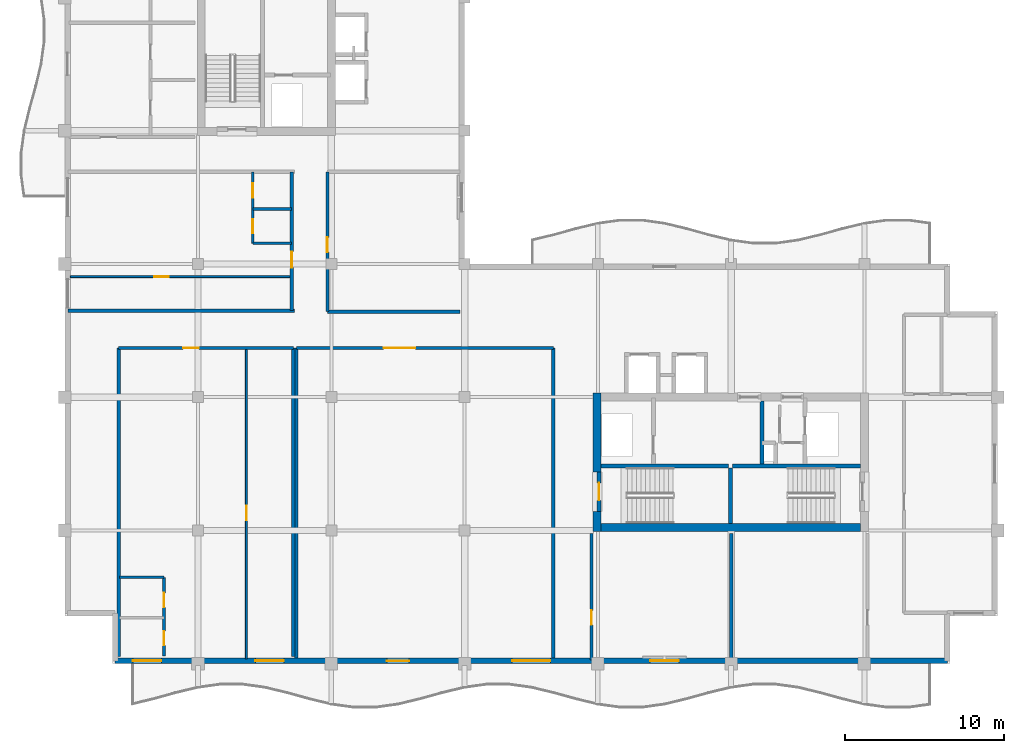
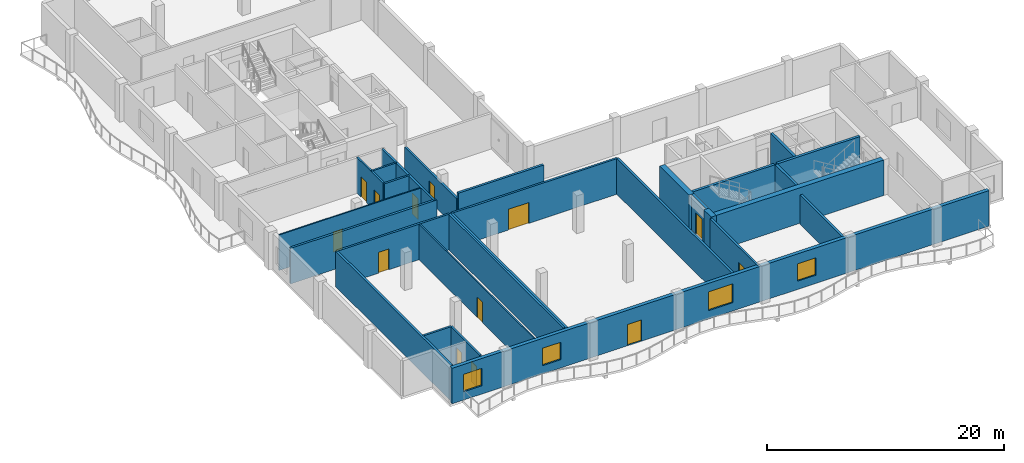
# One storey, part 3 of 11: 28 walls, 13 doors, 4 windows, 17 openings.
"""IFC4 building model written with IfcOpenShell, lengths in metres."""

from ifc_helpers import new_model, si_unit, direction, frame, frame_2d, origin, place, context, subcontext, project, spatial, rectangle, extrude, material, layer, layer_set, type_object, element, fill, save


model = new_model("IFC4")

# Units and contexts
model_context = context("Model", 3, precision=1e-05, world=origin(), true_north=direction((0.0, 1.0)))
body_context = subcontext(model_context, "Body", "Model", "MODEL_VIEW")
ifc_project = project(units=[si_unit("LENGTHUNIT", "METRE"), si_unit("AREAUNIT", "SQUARE_METRE"), si_unit("VOLUMEUNIT", "CUBIC_METRE"), si_unit("PLANEANGLEUNIT", "RADIAN"), si_unit("MASSUNIT", "GRAM", prefix="KILO")], contexts=[model_context])

# Site, building, storey
site_placement = place(None, origin())
site = spatial("IfcSite", under=ifc_project, at=site_placement, CompositionType="ELEMENT")
building_placement = place(site_placement, origin())
building = spatial("IfcBuilding", under=site, at=building_placement, Name="Koriwani Terraces Tower", CompositionType="ELEMENT")
storey_placement = place(building_placement, frame((0.0, 0.0, 343.699951171875)))
storey = spatial("IfcBuildingStorey", under=building, at=storey_placement, Name="L85", CompositionType="ELEMENT", Elevation=343.699951171875)

# Walls
ifc_material_1 = material(Name="Concrete C50/60", Category="concrete")
ifc_layer_1 = layer(ifc_material_1, 0.5, Name="Concrete C50/60")
ifc_layer_set_1 = layer_set([ifc_layer_1], Name="Concrete C50/60")
wall_type_1 = type_object("IfcWallType", Name="WALL_CORE_RC_500", PredefinedType="SHEAR", material=ifc_layer_set_1)
wall_1_placement = place(storey_placement, frame((41.949951171875, 16.75, 0.0), z_axis=(0.0, 0.0, 1.0), x_axis=(0.0, 1.0, 0.0)))
element("IfcWall", 1, at=wall_1_placement, inside=storey, type_object=wall_type_1, Name="L85 East Split Core Shear Wall W1", PredefinedType="SHEAR", context=body_context, shape_type="SweptSolid", body=[
    extrude(rectangle(XDim=1.25, YDim=0.5, at=frame_2d((0.625, 0.0))), origin(), (0.0, 0.0, 1.0), 3.670166015625),
])
wall_2_placement = place(storey_placement, frame((41.949951171875, 20.5, 0.0), z_axis=(0.0, 0.0, 1.0), x_axis=(0.0, 1.0, 0.0)))
element("IfcWall", 2, at=wall_2_placement, inside=storey, type_object=wall_type_1, Name="L85 East Split Core Shear Wall W2", PredefinedType="SHEAR", context=body_context, shape_type="SweptSolid", body=[
    extrude(rectangle(XDim=4.949951171875, YDim=0.5, at=frame_2d((2.47509765625, 0.0))), origin(), (0.0, 0.0, 1.0), 3.670166015625),
])
wall_3_placement = place(storey_placement, frame((42.199951171875, 17.0, 0.0), z_axis=(0.0, 0.0, 1.0), x_axis=(1.0, 0.0, 0.0)))
element("IfcWall", 3, at=wall_3_placement, inside=storey, type_object=wall_type_1, Name="L85 East Split Core Shear Wall S1", PredefinedType="SHEAR", context=body_context, shape_type="SweptSolid", body=[
    extrude(rectangle(XDim=16.35009765625, YDim=0.5, at=frame_2d((8.175048828125, 0.0))), origin(), (0.0, 0.0, 1.0), 3.670166015625),
])

# Wall, opening, door
ifc_material_2 = material(Name="Autoclaved Cellular Concrete Blockwork", Category="masonry")
ifc_layer_2 = layer(ifc_material_2, 0.199951171875, Name="Autoclaved Cellular Concrete Blockwork")
ifc_layer_set_2 = layer_set([ifc_layer_2], Name="Autoclaved Cellular Concrete Blockwork")
wall_type_2 = type_object("IfcWallType", Name="WALL_CORRIDOR_200", PredefinedType="PARTITIONING", material=ifc_layer_set_2)
wall_4_placement = place(storey_placement, frame((24.949951171875, 30.60009765625, 0.0), z_axis=(0.0, 0.0, 1.0), x_axis=(0.0, 1.0, 0.0)))
wall_4 = element("IfcWall", 4, at=wall_4_placement, inside=storey, type_object=wall_type_2, Name="L85 Interior Wall WIC4W-L85", PredefinedType="PARTITIONING", context=body_context, shape_type="SweptSolid", body=[
    extrude(rectangle(XDim=8.7998046875, YDim=0.199951171875, at=frame_2d((4.39990234375, 0.0))), origin(), (0.0, 0.0, 1.0), 3.070068359375),
])
opening_1_placement = place(wall_4_placement, frame((3.75, 0.0, 0.0)))
opening_1 = element("IfcOpeningElement", 5, at=opening_1_placement, cuts=wall_4, Name="Opening D-06", PredefinedType="OPENING", context=body_context, shape_type="SweptSolid", body=[
    extrude(rectangle(XDim=0.919921875, YDim=2.10009765625, at=frame_2d((0.4599609375, 1.050048828125))), frame((0.0, 0.10986328125, 0.0), z_axis=(0.0, -1.0, 0.0), x_axis=(1.0, 0.0, 0.0)), (0.0, 0.0, 1.0), 0.219970703125),
])
ifc_material_3 = material(Name="Architectural Oak Fire Door", Category="wood")
door_type_1 = type_object("IfcDoorType", Name="DOOR_ROOM_INT_920X2100", OperationType="NOTDEFINED", PredefinedType="DOOR", material=ifc_material_3)
door_1_placement = place(opening_1_placement, origin())
door_1 = element("IfcDoor", 6, at=door_1_placement, inside=storey, type_object=door_type_1, Name="L85 High-Rise Court Study Door", OperationType="SINGLE_SWING_LEFT", OverallHeight=2.10009765625, OverallWidth=0.919921875, PredefinedType="DOOR", context=body_context, shape_type="SweptSolid", body=[
    extrude(rectangle(XDim=0.919921875, YDim=2.10009765625, at=frame_2d((0.4599609375, 1.050048828125))), frame((0.0, 0.02490234375, 0.0), z_axis=(0.0, -1.0, 0.0), x_axis=(1.0, 0.0, 0.0)), (0.0, 0.0, 1.0), 0.050048828125),
])
fill(opening_1, door_1)

wall_5_placement = place(storey_placement, frame((41.60009765625, 8.64990234375, 0.0), z_axis=(0.0, 0.0, 1.0), x_axis=(0.0, 1.0, 0.0)))
wall_5 = element("IfcWall", 7, at=wall_5_placement, inside=storey, type_object=wall_type_2, Name="L85 Interior Wall WRZ4-EW-L85", PredefinedType="PARTITIONING", context=body_context, shape_type="SweptSolid", body=[
    extrude(rectangle(XDim=7.9501953125, YDim=0.199951171875, at=frame_2d((3.97509765625, 0.0))), origin(), (0.0, 0.0, 1.0), 3.670166015625),
])
opening_2_placement = place(wall_5_placement, frame((2.199951171875, 0.0, 0.0)))
opening_2 = element("IfcOpeningElement", 8, at=opening_2_placement, cuts=wall_5, Name="Opening D-06", PredefinedType="OPENING", context=body_context, shape_type="SweptSolid", body=[
    extrude(rectangle(XDim=0.919921875, YDim=2.10009765625, at=frame_2d((0.4599609375, 1.050048828125))), frame((0.0, 0.10986328125, 0.0), z_axis=(0.0, -1.0, 0.0), x_axis=(1.0, 0.0, 0.0)), (0.0, 0.0, 1.0), 0.219970703125),
])
door_2_placement = place(opening_2_placement, origin())
door_2 = element("IfcDoor", 9, at=door_2_placement, inside=storey, type_object=door_type_1, Name="L85 Resident Library Study Door", OperationType="SINGLE_SWING_RIGHT", OverallHeight=2.10009765625, OverallWidth=0.919921875, PredefinedType="DOOR", context=body_context, shape_type="SweptSolid", body=[
    extrude(rectangle(XDim=0.919921875, YDim=2.10009765625, at=frame_2d((0.4599609375, 1.050048828125))), frame((0.0, 0.02490234375, 0.0), z_axis=(0.0, -1.0, 0.0), x_axis=(1.0, 0.0, 0.0)), (0.0, 0.0, 1.0), 0.050048828125),
])
fill(opening_2, door_2)

wall_6_placement = place(storey_placement, frame((11.800048828125, 28.300048828125, 0.0), z_axis=(0.0, 0.0, 1.0), x_axis=(1.0, 0.0, 0.0)))
wall_6 = element("IfcWall", 10, at=wall_6_placement, inside=storey, type_object=wall_type_2, Name="L85 Interior Wall WGB-L85-SPINE-N", PredefinedType="PARTITIONING", context=body_context, shape_type="SweptSolid", body=[
    extrude(rectangle(XDim=11.0, YDim=0.199951171875, at=frame_2d((5.5, 0.0))), origin(), (0.0, 0.0, 1.0), 3.670166015625),
])
opening_3_placement = place(wall_6_placement, frame((4.050048828125, 0.0, 0.0)))
opening_3 = element("IfcOpeningElement", 11, at=opening_3_placement, cuts=wall_6, Name="Opening D-05", PredefinedType="OPENING", context=body_context, shape_type="SweptSolid", body=[
    extrude(rectangle(XDim=1.0, YDim=2.14990234375, at=frame_2d((0.5, 1.074951171875))), frame((0.0, 0.10986328125, 0.0), z_axis=(0.0, -1.0, 0.0), x_axis=(1.0, 0.0, 0.0)), (0.0, 0.0, 1.0), 0.219970703125),
])
door_type_2 = type_object("IfcDoorType", Name="DOOR_SUITE_ENTRY_1000X2150", OperationType="NOTDEFINED", PredefinedType="DOOR", material=ifc_material_3)
door_3_placement = place(opening_3_placement, origin())
door_3 = element("IfcDoor", 12, at=door_3_placement, inside=storey, type_object=door_type_2, Name="Corner Residence 85SP Entrance Door", OperationType="SINGLE_SWING_RIGHT", OverallHeight=2.14990234375, OverallWidth=1.0, PredefinedType="DOOR", context=body_context, shape_type="SweptSolid", body=[
    extrude(rectangle(XDim=1.0, YDim=2.14990234375, at=frame_2d((0.5, 1.074951171875))), frame((0.0, 0.02490234375, 0.0), z_axis=(0.0, -1.0, 0.0), x_axis=(1.0, 0.0, 0.0)), (0.0, 0.0, 1.0), 0.050048828125),
])
fill(opening_3, door_3)

wall_7_placement = place(storey_placement, frame((23.0, 28.300048828125, 0.0), z_axis=(0.0, 0.0, 1.0), x_axis=(1.0, 0.0, 0.0)))
wall_7 = element("IfcWall", 13, at=wall_7_placement, inside=storey, type_object=wall_type_2, Name="L85 Interior Wall WSPCLB-N-L85", PredefinedType="PARTITIONING", context=body_context, shape_type="SweptSolid", body=[
    extrude(rectangle(XDim=16.199951171875, YDim=0.199951171875, at=frame_2d((8.10009765625, 0.0))), origin(), (0.0, 0.0, 1.0), 3.670166015625),
])
opening_4_placement = place(wall_7_placement, frame((5.5, 0.0, 0.0)))
opening_4 = element("IfcOpeningElement", 14, at=opening_4_placement, cuts=wall_7, Name="Opening D-02", PredefinedType="OPENING", context=body_context, shape_type="SweptSolid", body=[
    extrude(rectangle(XDim=2.0, YDim=2.14990234375, at=frame_2d((1.0, 1.074951171875))), frame((0.0, 0.10986328125, 0.0), z_axis=(0.0, -1.0, 0.0), x_axis=(1.0, 0.0, 0.0)), (0.0, 0.0, 1.0), 0.219970703125),
])
ifc_material_4 = material(Name="Anodised Bronze Aluminium", Category="aluminium")
door_type_3 = type_object("IfcDoorType", Name="DOOR_ENTRANCE_DOUBLE_2000X2400", OperationType="NOTDEFINED", PredefinedType="DOOR", material=ifc_material_4)
door_4_placement = place(opening_4_placement, origin())
door_4 = element("IfcDoor", 15, at=door_4_placement, inside=storey, type_object=door_type_3, Name="L85 Sky Screening Salon Door", OperationType="SINGLE_SWING_RIGHT", OverallHeight=2.14990234375, OverallWidth=2.0, PredefinedType="DOOR", context=body_context, shape_type="SweptSolid", body=[
    extrude(rectangle(XDim=2.0, YDim=2.14990234375, at=frame_2d((1.0, 1.074951171875))), frame((0.0, 0.02490234375, 0.0), z_axis=(0.0, -1.0, 0.0), x_axis=(1.0, 0.0, 0.0)), (0.0, 0.0, 1.0), 0.050048828125),
])
fill(opening_4, door_4)

wall_8_placement = place(storey_placement, frame((22.699951171875, 30.64990234375, 0.0), z_axis=(0.0, 0.0, 1.0), x_axis=(0.0, 1.0, 0.0)))
wall_8 = element("IfcWall", 16, at=wall_8_placement, inside=storey, type_object=wall_type_2, Name="L85 Interior Wall WRCOR-L85-NE-0", PredefinedType="PARTITIONING", context=body_context, shape_type="SweptSolid", body=[
    extrude(rectangle(XDim=8.75, YDim=0.199951171875, at=frame_2d((4.375, 0.0))), origin(), (0.0, 0.0, 1.0), 3.670166015625),
])
opening_5_placement = place(wall_8_placement, frame((2.719970703125, 0.0, 0.0)))
opening_5 = element("IfcOpeningElement", 17, at=opening_5_placement, cuts=wall_8, Name="Opening D-05", PredefinedType="OPENING", context=body_context, shape_type="SweptSolid", body=[
    extrude(rectangle(XDim=1.0, YDim=2.14990234375, at=frame_2d((0.5, 1.074951171875))), frame((0.0, 0.10986328125, 0.0), z_axis=(0.0, -1.0, 0.0), x_axis=(1.0, 0.0, 0.0)), (0.0, 0.0, 1.0), 0.219970703125),
])
door_5_placement = place(opening_5_placement, origin())
door_5 = element("IfcDoor", 18, at=door_5_placement, inside=storey, type_object=door_type_2, Name="Apartment 85NE1 Entrance Door", OperationType="SINGLE_SWING_LEFT", OverallHeight=2.14990234375, OverallWidth=1.0, PredefinedType="DOOR", context=body_context, shape_type="SweptSolid", body=[
    extrude(rectangle(XDim=1.0, YDim=2.14990234375, at=frame_2d((0.5, 1.074951171875))), frame((0.0, 0.02490234375, 0.0), z_axis=(0.0, -1.0, 0.0), x_axis=(1.0, 0.0, 0.0)), (0.0, 0.0, 1.0), 0.050048828125),
])
fill(opening_5, door_5)

# Walls
ifc_layer_3 = layer(ifc_material_2, 0.219970703125, Name="Autoclaved Cellular Concrete Blockwork")
ifc_layer_set_3 = layer_set([ifc_layer_3], Name="Autoclaved Cellular Concrete Blockwork")
wall_type_3 = type_object("IfcWallType", Name="WALL_DEMISING_220", PredefinedType="PARTITIONING", material=ifc_layer_set_3)
wall_9_placement = place(storey_placement, frame((24.949951171875, 30.60009765625, 0.0), z_axis=(0.0, 0.0, 1.0), x_axis=(1.0, 0.0, 0.0)))
element("IfcWall", 19, at=wall_9_placement, inside=storey, type_object=wall_type_3, Name="L85 Interior Wall WIC4WS-L85", PredefinedType="PARTITIONING", context=body_context, shape_type="SweptSolid", body=[
    extrude(rectangle(XDim=8.35009765625, YDim=0.219970703125, at=frame_2d((4.175048828125, 0.0))), origin(), (0.0, 0.0, 1.0), 3.670166015625),
])
wall_10_placement = place(storey_placement, frame((50.39990234375, 8.64990234375, 0.0), z_axis=(0.0, 0.0, 1.0), x_axis=(0.0, 1.0, 0.0)))
element("IfcWall", 20, at=wall_10_placement, inside=storey, type_object=wall_type_3, Name="L85 Interior Wall WRZ4-EM-L85", PredefinedType="PARTITIONING", context=body_context, shape_type="SweptSolid", body=[
    extrude(rectangle(XDim=7.9501953125, YDim=0.219970703125, at=frame_2d((3.97509765625, 0.0))), origin(), (0.0, 0.0, 1.0), 3.052978515625),
])
for number, where, z_axis, x_axis, name in (
    (21, (22.800048828125, 8.85009765625, 0.0), (0.0, 0.0, 1.0), (0.0, 1.0, 0.0), "L85 Interior Wall WGB-L85-SPINE-E"),
    (22, (11.800048828125, 8.85009765625, 0.0), (0.0, 0.0, 1.0), (0.0, 1.0, 0.0), "L85 Interior Wall WGB-L85-SPINE-W"),
):
    element("IfcWall", number, at=place(storey_placement, frame(where, z_axis=z_axis, x_axis=x_axis)), inside=storey, type_object=wall_type_3, Name=name, PredefinedType="PARTITIONING", context=body_context, shape_type="SweptSolid", body=[
        extrude(rectangle(XDim=19.449951171875, YDim=0.219970703125, at=frame_2d((9.72509765625, 0.0))), origin(), (0.0, 0.0, 1.0), 3.670166015625),
    ])
for number, where, z_axis, x_axis, name in (
    (23, (23.0, 8.75, 0.0), (0.0, 0.0, 1.0), (0.0, 1.0, 0.0), "L85 Interior Wall WSPCLB-W-L85"),
    (24, (39.199951171875, 8.75, 0.0), (0.0, 0.0, 1.0), (0.0, 1.0, 0.0), "L85 Interior Wall WSPCLB-E-L85"),
):
    element("IfcWall", number, at=place(storey_placement, frame(where, z_axis=z_axis, x_axis=x_axis)), inside=storey, type_object=wall_type_3, Name=name, PredefinedType="PARTITIONING", context=body_context, shape_type="SweptSolid", body=[
        extrude(rectangle(XDim=19.550048828125, YDim=0.219970703125, at=frame_2d((9.77490234375, 0.0))), origin(), (0.0, 0.0, 1.0), 3.670166015625),
    ])
wall_11_placement = place(storey_placement, frame((8.60009765625, 30.64990234375, 0.0), z_axis=(0.0, 0.0, 1.0), x_axis=(1.0, 0.0, 0.0)))
element("IfcWall", 25, at=wall_11_placement, inside=storey, type_object=wall_type_3, Name="L85 Interior Wall WRDEM-L85-NE-0", PredefinedType="PARTITIONING", context=body_context, shape_type="SweptSolid", body=[
    extrude(rectangle(XDim=14.27978515625, YDim=0.219970703125, at=frame_2d((7.139892578125, 0.0))), origin(), (0.0, 0.0, 1.0), 3.670166015625),
])

# Wall, openings, door, windows
ifc_layer_4 = layer(ifc_material_1, 0.35009765625, Name="Concrete C50/60")
ifc_layer_set_4 = layer_set([ifc_layer_4], Name="Concrete C50/60")
wall_type_4 = type_object("IfcWallType", Name="WALL_EXT_BRUTALIST_350", PredefinedType="STANDARD", material=ifc_layer_set_4)
wall_12_placement = place(storey_placement, frame((64.02490234375, 8.574951171875, 0.0), z_axis=(0.0, 0.0, 1.0), x_axis=(-1.0, 0.0, 0.0)))
wall_12 = element("IfcWall", 26, at=wall_12_placement, inside=storey, type_object=wall_type_4, Name="L85 Fair-Faced Brutalist Exterior Wall (S)", PredefinedType="STANDARD", context=body_context, shape_type="SweptSolid", body=[
    extrude(rectangle(XDim=52.449951171875, YDim=0.35009765625, at=frame_2d((26.22509765625, 0.0))), origin(), (0.0, 0.0, 1.0), 3.670166015625),
])
opening_6_placement = place(wall_12_placement, frame((33.925048828125, 0.0, 0.0)))
opening_6 = element("IfcOpeningElement", 27, at=opening_6_placement, cuts=wall_12, Name="Opening D-09", PredefinedType="OPENING", context=body_context, shape_type="SweptSolid", body=[
    extrude(rectangle(XDim=1.39990234375, YDim=2.199951171875, at=frame_2d((0.699951171875, 1.10009765625))), frame((0.0, 0.18505859375, 0.0), z_axis=(0.0, -1.0, 0.0), x_axis=(1.0, 0.0, 0.0)), (0.0, 0.0, 1.0), 0.3701171875),
])
opening_7_placement = place(wall_12_placement, frame((25.02490234375, 0.0, 0.85009765625)))
opening_7 = element("IfcOpeningElement", 28, at=opening_7_placement, cuts=wall_12, Name="Opening W-03", PredefinedType="OPENING", context=body_context, shape_type="SweptSolid", body=[
    extrude(rectangle(XDim=2.39990234375, YDim=1.949951171875, at=frame_2d((1.199951171875, 0.97509765625))), frame((0.0, 0.18505859375, 0.0), z_axis=(0.0, -1.0, 0.0), x_axis=(1.0, 0.0, 0.0)), (0.0, 0.0, 1.0), 0.3701171875),
])
opening_8_placement = place(wall_12_placement, frame((16.925048828125, 0.0, 0.85009765625)))
opening_8 = element("IfcOpeningElement", 29, at=opening_8_placement, cuts=wall_12, Name="Opening W-04", PredefinedType="OPENING", context=body_context, shape_type="SweptSolid", body=[
    extrude(rectangle(XDim=1.800048828125, YDim=1.800048828125, at=frame_2d((0.89990234375, 0.89990234375))), frame((0.0, 0.18505859375, 0.0), z_axis=(0.0, -1.0, 0.0), x_axis=(1.0, 0.0, 0.0)), (0.0, 0.0, 1.0), 0.3701171875),
])
opening_9_placement = place(wall_12_placement, frame((41.81494140625, 0.0, 0.85009765625)))
opening_9 = element("IfcOpeningElement", 30, at=opening_9_placement, cuts=wall_12, Name="Opening W-04", PredefinedType="OPENING", context=body_context, shape_type="SweptSolid", body=[
    extrude(rectangle(XDim=1.800048828125, YDim=1.800048828125, at=frame_2d((0.89990234375, 0.89990234375))), frame((0.0, 0.18505859375, 0.0), z_axis=(0.0, -1.0, 0.0), x_axis=(1.0, 0.0, 0.0)), (0.0, 0.0, 1.0), 0.3701171875),
])
opening_10_placement = place(wall_12_placement, frame((49.534912109375, 0.0, 0.85009765625)))
opening_10 = element("IfcOpeningElement", 31, at=opening_10_placement, cuts=wall_12, Name="Opening W-04", PredefinedType="OPENING", context=body_context, shape_type="SweptSolid", body=[
    extrude(rectangle(XDim=1.800048828125, YDim=1.800048828125, at=frame_2d((0.89990234375, 0.89990234375))), frame((0.0, 0.18505859375, 0.0), z_axis=(0.0, -1.0, 0.0), x_axis=(1.0, 0.0, 0.0)), (0.0, 0.0, 1.0), 0.3701171875),
])
door_type_4 = type_object("IfcDoorType", Name="DOOR_BALCONY_GLAZED_1400X2200", OperationType="NOTDEFINED", PredefinedType="DOOR", material=ifc_material_4)
door_6_placement = place(opening_6_placement, origin())
door_6 = element("IfcDoor", 32, at=door_6_placement, inside=storey, type_object=door_type_4, Name="L85 South Balcony Glazed Door", OperationType="SINGLE_SWING_LEFT", OverallHeight=2.199951171875, OverallWidth=1.39990234375, PredefinedType="DOOR", context=body_context, shape_type="SweptSolid", body=[
    extrude(rectangle(XDim=1.39990234375, YDim=2.199951171875, at=frame_2d((0.699951171875, 1.10009765625))), frame((0.0, 0.02490234375, 0.0), z_axis=(0.0, -1.0, 0.0), x_axis=(1.0, 0.0, 0.0)), (0.0, 0.0, 1.0), 0.050048828125),
])
fill(opening_6, door_6)
ifc_material_5 = material(Name="Tempered Laminated Low-E Glass", Category="glass")
window_type_1 = type_object("IfcWindowType", Name="WIN_RES_BED_1800X1800", PartitioningType="DOUBLE_PANEL_VERTICAL", PredefinedType="WINDOW", material=ifc_material_5)
window_1_placement = place(opening_8_placement, origin())
window_1 = element("IfcWindow", 33, at=window_1_placement, inside=storey, type_object=window_type_1, Name="L85 Exterior Window (S-12)", OverallHeight=1.800048828125, OverallWidth=1.800048828125, PartitioningType="SINGLE_PANEL", PredefinedType="WINDOW", context=body_context, shape_type="SweptSolid", body=[
    extrude(rectangle(XDim=1.800048828125, YDim=1.800048828125, at=frame_2d((0.89990234375, 0.89990234375))), frame((0.0, 0.030029296875, 0.0), z_axis=(0.0, -1.0, 0.0), x_axis=(1.0, 0.0, 0.0)), (0.0, 0.0, 1.0), 0.06005859375),
])
fill(opening_8, window_1)
window_2_placement = place(opening_9_placement, origin())
window_2 = element("IfcWindow", 34, at=window_2_placement, inside=storey, type_object=window_type_1, Name="L85 Exterior Window (S-R34)", OverallHeight=1.800048828125, OverallWidth=1.800048828125, PartitioningType="SINGLE_PANEL", PredefinedType="WINDOW", context=body_context, shape_type="SweptSolid", body=[
    extrude(rectangle(XDim=1.800048828125, YDim=1.800048828125, at=frame_2d((0.89990234375, 0.89990234375))), frame((0.0, 0.030029296875, 0.0), z_axis=(0.0, -1.0, 0.0), x_axis=(1.0, 0.0, 0.0)), (0.0, 0.0, 1.0), 0.06005859375),
])
fill(opening_9, window_2)
window_3_placement = place(opening_10_placement, origin())
window_3 = element("IfcWindow", 35, at=window_3_placement, inside=storey, type_object=window_type_1, Name="L85 Exterior Window (S-R35)", OverallHeight=1.800048828125, OverallWidth=1.800048828125, PartitioningType="SINGLE_PANEL", PredefinedType="WINDOW", context=body_context, shape_type="SweptSolid", body=[
    extrude(rectangle(XDim=1.800048828125, YDim=1.800048828125, at=frame_2d((0.89990234375, 0.89990234375))), frame((0.0, 0.030029296875, 0.0), z_axis=(0.0, -1.0, 0.0), x_axis=(1.0, 0.0, 0.0)), (0.0, 0.0, 1.0), 0.06005859375),
])
fill(opening_10, window_3)
window_type_2 = type_object("IfcWindowType", Name="WIN_RES_LIVING_2400X1950", PartitioningType="DOUBLE_PANEL_VERTICAL", PredefinedType="WINDOW", material=ifc_material_5)
window_4_placement = place(opening_7_placement, origin())
window_4 = element("IfcWindow", 36, at=window_4_placement, inside=storey, type_object=window_type_2, Name="L85 Exterior Window (S-9)", OverallHeight=1.949951171875, OverallWidth=2.39990234375, PartitioningType="SINGLE_PANEL", PredefinedType="WINDOW", context=body_context, shape_type="SweptSolid", body=[
    extrude(rectangle(XDim=2.39990234375, YDim=1.949951171875, at=frame_2d((1.199951171875, 0.97509765625))), frame((0.0, 0.030029296875, 0.0), z_axis=(0.0, -1.0, 0.0), x_axis=(1.0, 0.0, 0.0)), (0.0, 0.0, 1.0), 0.06005859375),
])
fill(opening_7, window_4)

# Wall, opening, door
ifc_material_6 = material(Name="Fire-Rated Acoustic Gypsum Partition", Category="masonry")
ifc_layer_5 = layer(ifc_material_6, 0.125, Name="Fire-Rated Acoustic Gypsum Partition")
ifc_layer_set_5 = layer_set([ifc_layer_5], Name="Fire-Rated Acoustic Gypsum Partition")
wall_type_5 = type_object("IfcWallType", Name="WALL_INT_125", PredefinedType="PARTITIONING", material=ifc_layer_set_5)
wall_13_placement = place(storey_placement, frame((19.85009765625, 8.699951171875, 0.0), z_axis=(0.0, 0.0, 1.0), x_axis=(0.0, 1.0, 0.0)))
wall_13 = element("IfcWall", 37, at=wall_13_placement, inside=storey, type_object=wall_type_5, Name="L85 Interior Wall WGB-L85-SPINE-BD", PredefinedType="PARTITIONING", context=body_context, shape_type="SweptSolid", body=[
    extrude(rectangle(XDim=19.650146484375, YDim=0.125, at=frame_2d((9.8251953125, 0.0))), origin(), (0.0, 0.0, 1.0), 3.670166015625),
])
opening_11_placement = place(wall_13_placement, frame((8.751953125, 0.0, 0.0)))
opening_11 = element("IfcOpeningElement", 38, at=opening_11_placement, cuts=wall_13, Name="Opening D-06", PredefinedType="OPENING", context=body_context, shape_type="SweptSolid", body=[
    extrude(rectangle(XDim=0.919921875, YDim=2.10009765625, at=frame_2d((0.4599609375, 1.050048828125))), frame((0.0, 0.072509765625, 0.0), z_axis=(0.0, -1.0, 0.0), x_axis=(1.0, 0.0, 0.0)), (0.0, 0.0, 1.0), 0.14501953125),
])
door_7_placement = place(opening_11_placement, origin())
door_7 = element("IfcDoor", 39, at=door_7_placement, inside=storey, type_object=door_type_1, Name="Corner Residence 85SP Master Suite Door", OperationType="SINGLE_SWING_LEFT", OverallHeight=2.10009765625, OverallWidth=0.919921875, PredefinedType="DOOR", context=body_context, shape_type="SweptSolid", body=[
    extrude(rectangle(XDim=0.919921875, YDim=2.10009765625, at=frame_2d((0.4599609375, 1.050048828125))), frame((0.0, 0.02490234375, 0.0), z_axis=(0.0, -1.0, 0.0), x_axis=(1.0, 0.0, 0.0)), (0.0, 0.0, 1.0), 0.050048828125),
])
fill(opening_11, door_7)

wall_14_placement = place(storey_placement, frame((8.75, 32.800048828125, 0.0), z_axis=(0.0, 0.0, 1.0), x_axis=(1.0, 0.0, 0.0)))
wall_14 = element("IfcWall", 40, at=wall_14_placement, inside=storey, type_object=wall_type_5, Name="L85 Interior Wall WRBED1-L85-NE-0", PredefinedType="PARTITIONING", context=body_context, shape_type="SweptSolid", body=[
    extrude(rectangle(XDim=13.949951171875, YDim=0.125, at=frame_2d((6.97509765625, 0.0))), origin(), (0.0, 0.0, 1.0), 3.670166015625),
])
opening_12_placement = place(wall_14_placement, frame((5.2900390625, 0.0, 0.0)))
opening_12 = element("IfcOpeningElement", 41, at=opening_12_placement, cuts=wall_14, Name="Opening D-06", PredefinedType="OPENING", context=body_context, shape_type="SweptSolid", body=[
    extrude(rectangle(XDim=0.919921875, YDim=2.10009765625, at=frame_2d((0.4599609375, 1.050048828125))), frame((0.0, 0.072509765625, 0.0), z_axis=(0.0, -1.0, 0.0), x_axis=(1.0, 0.0, 0.0)), (0.0, 0.0, 1.0), 0.14501953125),
])
door_8_placement = place(opening_12_placement, origin())
door_8 = element("IfcDoor", 42, at=door_8_placement, inside=storey, type_object=door_type_1, Name="Apartment 85NE1 Master Bedroom Door", OperationType="SINGLE_SWING_RIGHT", OverallHeight=2.10009765625, OverallWidth=0.919921875, PredefinedType="DOOR", context=body_context, shape_type="SweptSolid", body=[
    extrude(rectangle(XDim=0.919921875, YDim=2.10009765625, at=frame_2d((0.4599609375, 1.050048828125))), frame((0.0, 0.02490234375, 0.0), z_axis=(0.0, -1.0, 0.0), x_axis=(1.0, 0.0, 0.0)), (0.0, 0.0, 1.0), 0.050048828125),
])
fill(opening_12, door_8)

# Wall, openings, doors
ifc_layer_6 = layer(ifc_material_6, 0.179931640625, Name="Fire-Rated Acoustic Gypsum Partition")
ifc_layer_set_6 = layer_set([ifc_layer_6], Name="Fire-Rated Acoustic Gypsum Partition")
wall_type_6 = type_object("IfcWallType", Name="WALL_PLUMBING_180", PredefinedType="PLUMBINGWALL", material=ifc_layer_set_6)
wall_15_placement = place(storey_placement, frame((14.64990234375, 8.89990234375, 0.0), z_axis=(0.0, 0.0, 1.0), x_axis=(0.0, 1.0, 0.0)))
wall_15 = element("IfcWall", 43, at=wall_15_placement, inside=storey, type_object=wall_type_6, Name="L85 Interior Wall WGB-L85-SPINE-SVB", PredefinedType="PLUMBINGWALL", context=body_context, shape_type="SweptSolid", body=[
    extrude(rectangle(XDim=4.9501953125, YDim=0.179931640625, at=frame_2d((2.47509765625, 0.0))), origin(), (0.0, 0.0, 1.0), 3.670166015625),
])
opening_13_placement = place(wall_15_placement, frame((0.64990234375, 0.0, 0.0)))
opening_13 = element("IfcOpeningElement", 44, at=opening_13_placement, cuts=wall_15, Name="Opening D-07", PredefinedType="OPENING", context=body_context, shape_type="SweptSolid", body=[
    extrude(rectangle(XDim=0.89990234375, YDim=2.10009765625, at=frame_2d((0.449951171875, 1.050048828125))), frame((0.0, 0.10009765625, 0.0), z_axis=(0.0, -1.0, 0.0), x_axis=(1.0, 0.0, 0.0)), (0.0, 0.0, 1.0), 0.199951171875),
])
opening_14_placement = place(wall_15_placement, frame((3.050048828125, 0.0, 0.0)))
opening_14 = element("IfcOpeningElement", 45, at=opening_14_placement, cuts=wall_15, Name="Opening D-06", PredefinedType="OPENING", context=body_context, shape_type="SweptSolid", body=[
    extrude(rectangle(XDim=0.919921875, YDim=2.10009765625, at=frame_2d((0.4599609375, 1.050048828125))), frame((0.0, 0.10009765625, 0.0), z_axis=(0.0, -1.0, 0.0), x_axis=(1.0, 0.0, 0.0)), (0.0, 0.0, 1.0), 0.199951171875),
])
door_type_5 = type_object("IfcDoorType", Name="DOOR_BATH_INT_900X2100", OperationType="NOTDEFINED", PredefinedType="DOOR", material=ifc_material_3)
door_9_placement = place(opening_13_placement, origin())
door_9 = element("IfcDoor", 46, at=door_9_placement, inside=storey, type_object=door_type_5, Name="Corner Residence 85SP Bathroom Door", OperationType="SINGLE_SWING_LEFT", OverallHeight=2.10009765625, OverallWidth=0.89990234375, PredefinedType="DOOR", context=body_context, shape_type="SweptSolid", body=[
    extrude(rectangle(XDim=0.89990234375, YDim=2.10009765625, at=frame_2d((0.449951171875, 1.050048828125))), frame((0.0, 0.02490234375, 0.0), z_axis=(0.0, -1.0, 0.0), x_axis=(1.0, 0.0, 0.0)), (0.0, 0.0, 1.0), 0.050048828125),
])
fill(opening_13, door_9)
door_10_placement = place(opening_14_placement, origin())
door_10 = element("IfcDoor", 47, at=door_10_placement, inside=storey, type_object=door_type_1, Name="Corner Residence 85SP Kitchen Door", OperationType="SINGLE_SWING_RIGHT", OverallHeight=2.10009765625, OverallWidth=0.919921875, PredefinedType="DOOR", context=body_context, shape_type="SweptSolid", body=[
    extrude(rectangle(XDim=0.919921875, YDim=2.10009765625, at=frame_2d((0.4599609375, 1.050048828125))), frame((0.0, 0.02490234375, 0.0), z_axis=(0.0, -1.0, 0.0), x_axis=(1.0, 0.0, 0.0)), (0.0, 0.0, 1.0), 0.050048828125),
])
fill(opening_14, door_10)

# Wall
wall_16_placement = place(storey_placement, frame((11.85009765625, 13.85009765625, 0.0), z_axis=(0.0, 0.0, 1.0), x_axis=(1.0, 0.0, 0.0)))
element("IfcWall", 48, at=wall_16_placement, inside=storey, type_object=wall_type_6, Name="L85 Interior Wall WGB-L85-SPINE-SV2", PredefinedType="PLUMBINGWALL", context=body_context, shape_type="SweptSolid", body=[
    extrude(rectangle(XDim=2.7998046875, YDim=0.179931640625, at=frame_2d((1.39990234375, 0.0))), origin(), (0.0, 0.0, 1.0), 3.670166015625),
])

# Wall, openings, doors
wall_17_placement = place(storey_placement, frame((20.25, 34.89990234375, 0.0), z_axis=(0.0, 0.0, 1.0), x_axis=(0.0, 1.0, 0.0)))
wall_17 = element("IfcWall", 49, at=wall_17_placement, inside=storey, type_object=wall_type_6, Name="L85 Interior Wall WRSVC-L85-NE-0", PredefinedType="PLUMBINGWALL", context=body_context, shape_type="SweptSolid", body=[
    extrude(rectangle(XDim=4.5, YDim=0.179931640625, at=frame_2d((2.25, 0.0))), origin(), (0.0, 0.0, 1.0), 3.670166015625),
])
opening_15_placement = place(wall_17_placement, frame((0.6298828125, 0.0, 0.0)))
opening_15 = element("IfcOpeningElement", 50, at=opening_15_placement, cuts=wall_17, Name="Opening D-07", PredefinedType="OPENING", context=body_context, shape_type="SweptSolid", body=[
    extrude(rectangle(XDim=0.89990234375, YDim=2.10009765625, at=frame_2d((0.449951171875, 1.050048828125))), frame((0.0, 0.10009765625, 0.0), z_axis=(0.0, -1.0, 0.0), x_axis=(1.0, 0.0, 0.0)), (0.0, 0.0, 1.0), 0.199951171875),
])
opening_16_placement = place(wall_17_placement, frame((2.8701171875, 0.0, 0.0)))
opening_16 = element("IfcOpeningElement", 51, at=opening_16_placement, cuts=wall_17, Name="Opening D-06", PredefinedType="OPENING", context=body_context, shape_type="SweptSolid", body=[
    extrude(rectangle(XDim=0.919921875, YDim=2.10009765625, at=frame_2d((0.4599609375, 1.050048828125))), frame((0.0, 0.10009765625, 0.0), z_axis=(0.0, -1.0, 0.0), x_axis=(1.0, 0.0, 0.0)), (0.0, 0.0, 1.0), 0.199951171875),
])
door_11_placement = place(opening_15_placement, origin())
door_11 = element("IfcDoor", 52, at=door_11_placement, inside=storey, type_object=door_type_5, Name="Apartment 85NE1 Bathroom Door", OperationType="SINGLE_SWING_RIGHT", OverallHeight=2.10009765625, OverallWidth=0.89990234375, PredefinedType="DOOR", context=body_context, shape_type="SweptSolid", body=[
    extrude(rectangle(XDim=0.89990234375, YDim=2.10009765625, at=frame_2d((0.449951171875, 1.050048828125))), frame((0.0, 0.02490234375, 0.0), z_axis=(0.0, -1.0, 0.0), x_axis=(1.0, 0.0, 0.0)), (0.0, 0.0, 1.0), 0.050048828125),
])
fill(opening_15, door_11)
door_12_placement = place(opening_16_placement, origin())
door_12 = element("IfcDoor", 53, at=door_12_placement, inside=storey, type_object=door_type_1, Name="Apartment 85NE1 Kitchen Door", OperationType="SINGLE_SWING_LEFT", OverallHeight=2.10009765625, OverallWidth=0.919921875, PredefinedType="DOOR", context=body_context, shape_type="SweptSolid", body=[
    extrude(rectangle(XDim=0.919921875, YDim=2.10009765625, at=frame_2d((0.4599609375, 1.050048828125))), frame((0.0, 0.02490234375, 0.0), z_axis=(0.0, -1.0, 0.0), x_axis=(1.0, 0.0, 0.0)), (0.0, 0.0, 1.0), 0.050048828125),
])
fill(opening_16, door_12)

# Walls
for number, where, z_axis, x_axis, name in (
    (54, (20.25, 34.89990234375, 0.0), (0.0, 0.0, 1.0), (1.0, 0.0, 0.0), "L85 Interior Wall WRSVCS-L85-NE-0"),
    (55, (20.25, 37.06005859375, 0.0), (0.0, 0.0, 1.0), (1.0, 0.0, 0.0), "L85 Interior Wall WRSVCM-L85-NE-0"),
):
    element("IfcWall", number, at=place(storey_placement, frame(where, z_axis=z_axis, x_axis=x_axis)), inside=storey, type_object=wall_type_6, Name=name, PredefinedType="PLUMBINGWALL", context=body_context, shape_type="SweptSolid", body=[
        extrude(rectangle(XDim=2.449951171875, YDim=0.179931640625, at=frame_2d((1.22509765625, 0.0))), origin(), (0.0, 0.0, 1.0), 3.670166015625),
    ])
ifc_material_7 = material(Name="Concrete C40/50", Category="concrete")
ifc_layer_7 = layer(ifc_material_7, 0.25, Name="Concrete C40/50")
ifc_layer_set_7 = layer_set([ifc_layer_7], Name="Concrete C40/50")
wall_type_7 = type_object("IfcWallType", Name="WALL_SHAFT_RATED_250", PredefinedType="SOLIDWALL", material=ifc_layer_set_7)
for number, where, z_axis, x_axis, name in (
    (56, (42.199951171875, 20.875, 0.0), (0.0, 0.0, 1.0), (1.0, 0.0, 0.0), "L85 East Split Core Web Wall MID1"),
    (57, (50.5, 20.875, 0.0), (0.0, 0.0, 1.0), (1.0, 0.0, 0.0), "L85 East Split Core Web Wall MID2"),
):
    element("IfcWall", number, at=place(storey_placement, frame(where, z_axis=z_axis, x_axis=x_axis)), inside=storey, type_object=wall_type_7, Name=name, PredefinedType="SOLIDWALL", context=body_context, shape_type="SweptSolid", body=[
        extrude(rectangle(XDim=8.050048828125, YDim=0.25, at=frame_2d((4.02490234375, 0.0))), origin(), (0.0, 0.0, 1.0), 3.670166015625),
    ])
wall_18_placement = place(storey_placement, frame((50.375, 17.25, 0.0), z_axis=(0.0, 0.0, 1.0), x_axis=(0.0, 1.0, 0.0)))
element("IfcWall", 58, at=wall_18_placement, inside=storey, type_object=wall_type_7, Name="L85 East Split Core Stair Dividing Wall", PredefinedType="SOLIDWALL", context=body_context, shape_type="SweptSolid", body=[
    extrude(rectangle(XDim=3.5, YDim=0.25, at=frame_2d((1.75, 0.0))), origin(), (0.0, 0.0, 1.0), 3.670166015625),
])

# Wall, opening, door
wall_19_placement = place(storey_placement, frame((42.074951171875, 18.0, 0.0), z_axis=(0.0, 0.0, 1.0), x_axis=(0.0, 1.0, 0.0)))
wall_19 = element("IfcWall", 59, at=wall_19_placement, inside=storey, type_object=wall_type_7, Name="L85 Interior Wall WIN-CE-L85-STW", PredefinedType="SOLIDWALL", context=body_context, shape_type="SweptSolid", body=[
    extrude(rectangle(XDim=2.5, YDim=0.25, at=frame_2d((1.25, 0.0))), origin(), (0.0, 0.0, 1.0), 3.670166015625),
])
opening_17_placement = place(wall_19_placement, frame((0.699951171875, 0.0, 0.0)))
opening_17 = element("IfcOpeningElement", 60, at=opening_17_placement, cuts=wall_19, Name="Opening D-03", PredefinedType="OPENING", context=body_context, shape_type="SweptSolid", body=[
    extrude(rectangle(XDim=1.10009765625, YDim=2.14990234375, at=frame_2d((0.550048828125, 1.074951171875))), frame((0.0, 0.135009765625, 0.0), z_axis=(0.0, -1.0, 0.0), x_axis=(1.0, 0.0, 0.0)), (0.0, 0.0, 1.0), 0.27001953125),
])
ifc_material_8 = material(Name="Steel ASTM A572 Grade 50", Category="steel")
door_type_6 = type_object("IfcDoorType", Name="DOOR_STAIR_FIRE_1100X2150", OperationType="NOTDEFINED", PredefinedType="DOOR", material=ifc_material_8)
door_13_placement = place(opening_17_placement, origin())
door_13 = element("IfcDoor", 61, at=door_13_placement, inside=storey, type_object=door_type_6, Name="L85 Exit Stair ST-E1 Door", OperationType="SINGLE_SWING_LEFT", OverallHeight=2.14990234375, OverallWidth=1.10009765625, PredefinedType="DOOR", context=body_context, shape_type="SweptSolid", body=[
    extrude(rectangle(XDim=1.10009765625, YDim=2.14990234375, at=frame_2d((0.550048828125, 1.074951171875))), frame((0.0, 0.02490234375, 0.0), z_axis=(0.0, -1.0, 0.0), x_axis=(1.0, 0.0, 0.0)), (0.0, 0.0, 1.0), 0.050048828125),
])
fill(opening_17, door_13)

# Wall
wall_20_placement = place(storey_placement, frame((52.340087890625, 21.0, 0.0), z_axis=(0.0, 0.0, 1.0), x_axis=(0.0, 1.0, 0.0)))
element("IfcWall", 62, at=wall_20_placement, inside=storey, type_object=wall_type_7, Name="L85 Interior Wall WIN-CE-L85-FFE", PredefinedType="SOLIDWALL", context=body_context, shape_type="SweptSolid", body=[
    extrude(rectangle(XDim=3.949951171875, YDim=0.25, at=frame_2d((1.97509765625, 0.0))), origin(), (0.0, 0.0, 1.0), 3.670166015625),
])

save(model, "model.ifc")
